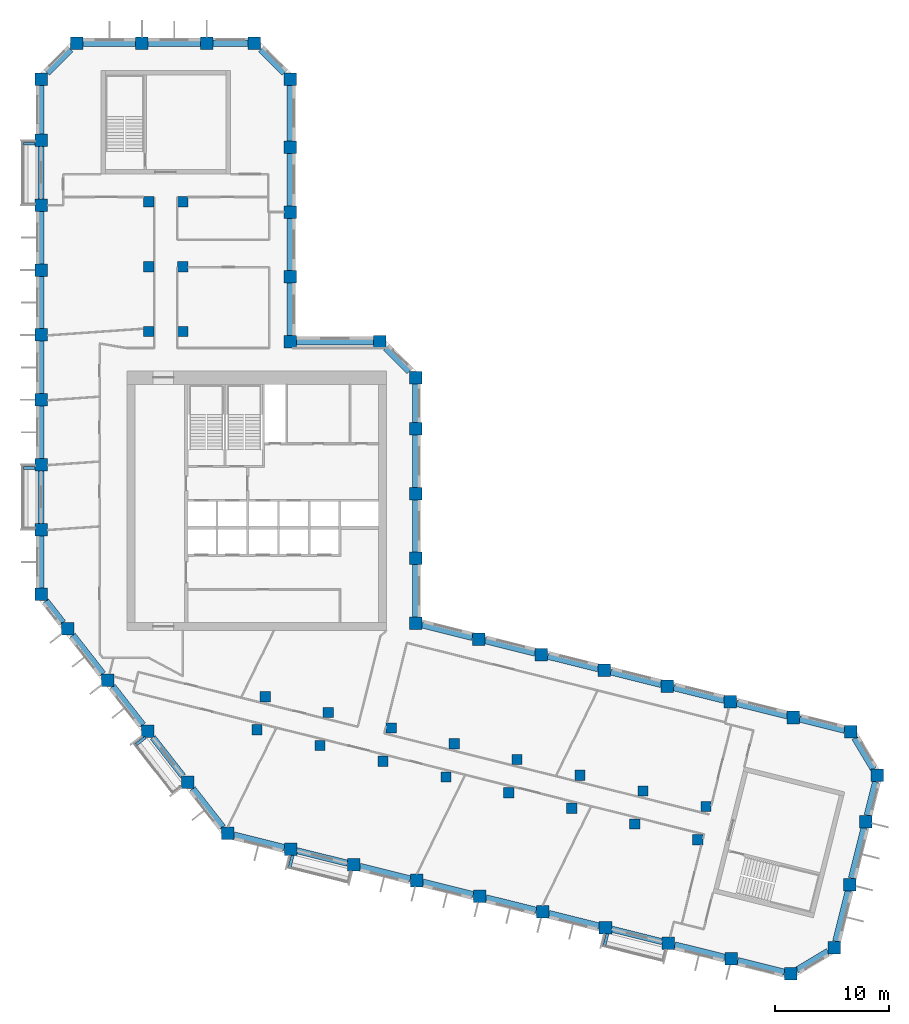
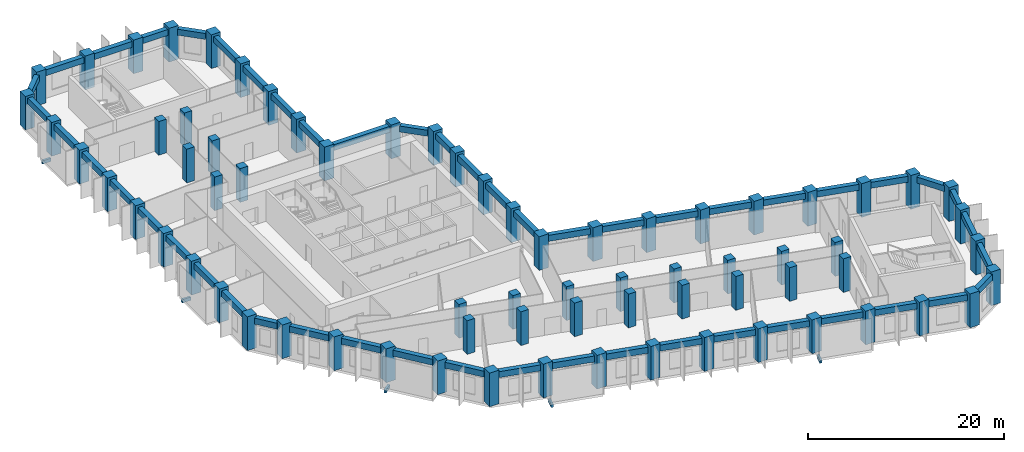
# One storey, part 1 of 10: 71 columns, 54 beams.
"""IFC4 building model written with IfcOpenShell, lengths in metres."""

from ifc_helpers import new_model, si_unit, direction, frame, origin, origin_2d, place, context, subcontext, project, spatial, rectangle, extrude, material, material_profile, profile_set, type_object, element, save


model = new_model("IFC4")

# Units and contexts
model_context = context("Model", 3, precision=1e-05, world=origin(), true_north=direction((0.0, 1.0)))
body_context = subcontext(model_context, "Body", "Model", "MODEL_VIEW")
ifc_project = project(units=[si_unit("LENGTHUNIT", "METRE"), si_unit("AREAUNIT", "SQUARE_METRE"), si_unit("VOLUMEUNIT", "CUBIC_METRE"), si_unit("PLANEANGLEUNIT", "RADIAN"), si_unit("MASSUNIT", "GRAM", prefix="KILO")], contexts=[model_context])

# Site, building, storey
site_placement = place(None, origin())
site = spatial("IfcSite", under=ifc_project, at=site_placement, CompositionType="ELEMENT")
building_placement = place(site_placement, origin())
building = spatial("IfcBuilding", under=site, at=building_placement, Name="Meshkara Civic Tower", CompositionType="ELEMENT")
storey_placement = place(building_placement, frame((0.0, 0.0, 276.0)))
storey = spatial("IfcBuildingStorey", under=building, at=storey_placement, Name="L63", CompositionType="ELEMENT", Elevation=276.0)

# Columns
ifc_material_1 = material(Name="Concrete C60", Category="concrete")
ifc_material_profile_1 = material_profile(ifc_material_1, rectangle(XDim=0.89990234375, YDim=0.89990234375, at=origin_2d()))
ifc_profile_set_1 = profile_set([ifc_material_profile_1], Name="Concrete C60")
column_type_1 = type_object("IfcColumnType", Name="Interior column RC 900x900 C60", PredefinedType="COLUMN", material=ifc_profile_set_1)
for number, where, z_axis, x_axis, name in (
    (1, (9.89990234375, 40.35009765625, 0.0), (0.0, 0.0, 1.0), (1.0, 0.0, 0.0), "Column SA1-04 L63"),
    (2, (9.89990234375, 46.050048828125, 0.0), (0.0, 0.0, 1.0), (1.0, 0.0, 0.0), "Column SA1-05 L63"),
    (3, (9.89990234375, 51.75, 0.0), (0.0, 0.0, 1.0), (1.0, 0.0, 0.0), "Column SA1-06 L63"),
    (4, (12.89990234375, 40.35009765625, 0.0), (0.0, 0.0, 1.0), (1.0, 0.0, 0.0), "Column SA2-04 L63"),
    (5, (12.89990234375, 46.050048828125, 0.0), (0.0, 0.0, 1.0), (1.0, 0.0, 0.0), "Column SA2-05 L63"),
    (6, (12.89990234375, 51.75, 0.0), (0.0, 0.0, 1.0), (1.0, 0.0, 0.0), "Column SA2-06 L63"),
    (7, (19.424072265625, 5.360107421875, 0.0), (0.0, 0.0, 1.0), (1.0, 0.0, 0.0), "Column SB1-00 L63"),
    (8, (24.9541015625, 3.98095703125, 0.0), (0.0, 0.0, 1.0), (1.0, 0.0, 0.0), "Column SB1-01 L63"),
    (9, (30.485107421875, 2.60205078125, 0.0), (0.0, 0.0, 1.0), (1.0, 0.0, 0.0), "Column SB1-02 L63"),
    (10, (36.01611328125, 1.222900390625, 0.0), (0.0, 0.0, 1.0), (1.0, 0.0, 0.0), "Column SB1-03 L63"),
    (11, (41.5458984375, -0.156005859375, 0.0), (0.0, 0.0, 1.0), (1.0, 0.0, 0.0), "Column SB1-04 L63"),
    (12, (47.076904296875, -1.534912109375, 0.0), (0.0, 0.0, 1.0), (1.0, 0.0, 0.0), "Column SB1-05 L63"),
    (13, (52.60791015625, -2.9140625, 0.0), (0.0, 0.0, 1.0), (1.0, 0.0, 0.0), "Column SB1-06 L63"),
    (14, (58.138916015625, -4.2919921875, 0.0), (0.0, 0.0, 1.0), (1.0, 0.0, 0.0), "Column SB1-07 L63"),
    (15, (20.14892578125, 8.27099609375, 0.0), (0.0, 0.0, 1.0), (1.0, 0.0, 0.0), "Column SB2-00 L63"),
    (16, (25.679931640625, 6.89208984375, 0.0), (0.0, 0.0, 1.0), (1.0, 0.0, 0.0), "Column SB2-01 L63"),
    (17, (31.2109375, 5.512939453125, 0.0), (0.0, 0.0, 1.0), (1.0, 0.0, 0.0), "Column SB2-02 L63"),
    (18, (36.741943359375, 4.134033203125, 0.0), (0.0, 0.0, 1.0), (1.0, 0.0, 0.0), "Column SB2-03 L63"),
    (19, (42.27197265625, 2.7548828125, 0.0), (0.0, 0.0, 1.0), (1.0, 0.0, 0.0), "Column SB2-04 L63"),
    (20, (47.802978515625, 1.3759765625, 0.0), (0.0, 0.0, 1.0), (1.0, 0.0, 0.0), "Column SB2-05 L63"),
    (21, (53.333984375, -0.0029296875, 0.0), (0.0, 0.0, 1.0), (1.0, 0.0, 0.0), "Column SB2-06 L63"),
    (22, (58.864013671875, -1.382080078125, 0.0), (0.0, 0.0, 1.0), (1.0, 0.0, 0.0), "Column SB2-07 L63"),
):
    element("IfcColumn", number, at=place(storey_placement, frame(where, z_axis=z_axis, x_axis=x_axis)), inside=storey, type_object=column_type_1, Name=name, PredefinedType="COLUMN", context=body_context, shape_type="SweptSolid", body=[
        extrude(rectangle(XDim=0.89990234375, YDim=0.89990234375, at=origin_2d()), origin(), (0.0, 0.0, 1.0), 4.199951171875),
    ])
ifc_material_2 = material(Name="Concrete C60", Category="concrete")
ifc_material_profile_2 = material_profile(ifc_material_2, rectangle(XDim=1.10009765625, YDim=1.10009765625, at=origin_2d()))
ifc_profile_set_2 = profile_set([ifc_material_profile_2], Name="Concrete C60")
column_type_2 = type_object("IfcColumnType", Name="Perimeter column RC 1100x1100 C60", PredefinedType="COLUMN", material=ifc_profile_set_2)
for number, where, z_axis, x_axis, name in (
    (23, (33.35009765625, 14.718994140625, 0.0), (0.0, 0.0, 1.0), (1.0, 0.0, 0.0), "Column HE00 L63"),
    (24, (33.35009765625, 20.4189453125, 0.0), (0.0, 0.0, 1.0), (1.0, 0.0, 0.0), "Column HE01 L63"),
    (25, (33.35009765625, 26.118896484375, 0.0), (0.0, 0.0, 1.0), (1.0, 0.0, 0.0), "Column HE02 L63"),
    (26, (33.35009765625, 31.819091796875, 0.0), (0.0, 0.0, 1.0), (1.0, 0.0, 0.0), "Column HE03 L63"),
    (27, (33.35009765625, 36.2939453125, 0.0), (0.0, 0.0, 1.0), (1.0, 0.0, 0.0), "Column HEE L63"),
    (28, (30.194091796875, 39.449951171875, 0.0), (0.0, 0.0, 1.0), (1.0, 0.0, 0.0), "Column HCeE L63"),
    (29, (22.35009765625, 39.449951171875, 0.0), (0.0, 0.0, 1.0), (1.0, 0.0, 0.0), "Column HN00 L63"),
    (30, (22.35009765625, 45.14990234375, 0.0), (0.0, 0.0, 1.0), (1.0, 0.0, 0.0), "Column AE01 L63"),
    (31, (22.35009765625, 50.85009765625, 0.0), (0.0, 0.0, 1.0), (1.0, 0.0, 0.0), "Column AE02 L63"),
    (32, (22.35009765625, 56.550048828125, 0.0), (0.0, 0.0, 1.0), (1.0, 0.0, 0.0), "Column AE03 L63"),
    (33, (22.35009765625, 62.513916015625, 0.0), (0.0, 0.0, 1.0), (1.0, 0.0, 0.0), "Column AEEP3 L63"),
    (34, (19.194091796875, 65.669921875, 0.0), (0.0, 0.0, 1.0), (1.0, 0.0, 0.0), "Column ATiEP3 L63"),
    (35, (3.60595703125, 65.669921875, 0.0), (0.0, 0.0, 1.0), (1.0, 0.0, 0.0), "Column AT00-P3 L63"),
    (36, (9.305908203125, 65.669921875, 0.0), (0.0, 0.0, 1.0), (1.0, 0.0, 0.0), "Column AT01-P3 L63"),
    (37, (15.006103515625, 65.669921875, 0.0), (0.0, 0.0, 1.0), (1.0, 0.0, 0.0), "Column AT02-P3 L63"),
    (38, (0.449951171875, 62.513916015625, 0.0), (0.0, 0.0, 1.0), (1.0, 0.0, 0.0), "Column ATo00-P3 L63"),
    (39, (0.449951171875, 17.2548828125, 0.0), (0.0, 0.0, 1.0), (1.0, 0.0, 0.0), "Column AW00 L63"),
    (40, (0.449951171875, 22.955078125, 0.0), (0.0, 0.0, 1.0), (1.0, 0.0, 0.0), "Column AW01 L63"),
    (41, (0.449951171875, 28.655029296875, 0.0), (0.0, 0.0, 1.0), (1.0, 0.0, 0.0), "Column AW02 L63"),
    (42, (0.449951171875, 34.35498046875, 0.0), (0.0, 0.0, 1.0), (1.0, 0.0, 0.0), "Column AW03 L63"),
    (43, (0.449951171875, 40.054931640625, 0.0), (0.0, 0.0, 1.0), (1.0, 0.0, 0.0), "Column AW04 L63"),
    (44, (0.449951171875, 45.7548828125, 0.0), (0.0, 0.0, 1.0), (1.0, 0.0, 0.0), "Column AW05 L63"),
    (45, (0.449951171875, 51.455078125, 0.0), (0.0, 0.0, 1.0), (1.0, 0.0, 0.0), "Column AW06 L63"),
    (46, (0.449951171875, 57.155029296875, 0.0), (0.0, 0.0, 1.0), (1.0, 0.0, 0.0), "Column AW07 L63"),
    (47, (16.85107421875, -3.738037109375, 0.0), (0.0, 0.0, 1.0), (1.0, 0.0, 0.0), "Column BOW00 L63"),
    (48, (13.342041015625, 0.75390625, 0.0), (0.0, 0.0, 1.0), (1.0, 0.0, 0.0), "Column BOW01 L63"),
    (49, (9.8330078125, 5.2451171875, 0.0), (0.0, 0.0, 1.0), (1.0, 0.0, 0.0), "Column BOW02 L63"),
    (50, (6.322998046875, 9.737060546875, 0.0), (0.0, 0.0, 1.0), (1.0, 0.0, 0.0), "Column BOW03 L63"),
    (51, (2.81396484375, 14.22900390625, 0.0), (0.0, 0.0, 1.0), (1.0, 0.0, 0.0), "Column BOW04 L63"),
    (52, (22.382080078125, -5.116943359375, 0.0), (0.0, 0.0, 1.0), (1.0, 0.0, 0.0), "Column BS01 L63"),
    (53, (27.912109375, -6.49609375, 0.0), (0.0, 0.0, 1.0), (1.0, 0.0, 0.0), "Column BS02 L63"),
    (54, (33.443115234375, -7.875, 0.0), (0.0, 0.0, 1.0), (1.0, 0.0, 0.0), "Column BS03 L63"),
    (55, (38.97412109375, -9.2529296875, 0.0), (0.0, 0.0, 1.0), (1.0, 0.0, 0.0), "Column BS04-P1 L63"),
    (56, (44.5048828125, -10.632080078125, 0.0), (0.0, 0.0, 1.0), (1.0, 0.0, 0.0), "Column BS05 L63"),
    (57, (50.034912109375, -12.010986328125, 0.0), (0.0, 0.0, 1.0), (1.0, 0.0, 0.0), "Column BS06 L63"),
    (58, (55.56591796875, -13.389892578125, 0.0), (0.0, 0.0, 1.0), (1.0, 0.0, 0.0), "Column BS07 L63"),
    (59, (61.096923828125, -14.76904296875, 0.0), (0.0, 0.0, 1.0), (1.0, 0.0, 0.0), "Column BS08 L63"),
    (60, (66.2958984375, -16.06494140625, 0.0), (0.0, 0.0, 1.0), (1.0, 0.0, 0.0), "Column BSEP3 L63"),
    (61, (70.1220703125, -13.76611328125, 0.0), (0.0, 0.0, 1.0), (1.0, 0.0, 0.0), "Column BToEP3 L63"),
    (62, (71.5009765625, -8.235107421875, 0.0), (0.0, 0.0, 1.0), (1.0, 0.0, 0.0), "Column BT01-P3 L63"),
    (63, (72.8798828125, -2.705078125, 0.0), (0.0, 0.0, 1.0), (1.0, 0.0, 0.0), "Column BT02-P3 L63"),
    (64, (73.89306640625, 1.35791015625, 0.0), (0.0, 0.0, 1.0), (1.0, 0.0, 0.0), "Column BTEP3 L63"),
    (65, (71.593994140625, 5.18310546875, 0.0), (0.0, 0.0, 1.0), (1.0, 0.0, 0.0), "Column BTi00-P3 L63"),
    (66, (38.881103515625, 13.340087890625, 0.0), (0.0, 0.0, 1.0), (1.0, 0.0, 0.0), "Column BN01 L63"),
    (67, (44.410888671875, 11.9609375, 0.0), (0.0, 0.0, 1.0), (1.0, 0.0, 0.0), "Column BN02 L63"),
    (68, (49.94189453125, 10.58203125, 0.0), (0.0, 0.0, 1.0), (1.0, 0.0, 0.0), "Column BN03 L63"),
    (69, (55.472900390625, 9.202880859375, 0.0), (0.0, 0.0, 1.0), (1.0, 0.0, 0.0), "Column BN04 L63"),
    (70, (61.0029296875, 7.823974609375, 0.0), (0.0, 0.0, 1.0), (1.0, 0.0, 0.0), "Column BN05 L63"),
    (71, (66.533935546875, 6.445068359375, 0.0), (0.0, 0.0, 1.0), (1.0, 0.0, 0.0), "Column BN06 L63"),
):
    element("IfcColumn", number, at=place(storey_placement, frame(where, z_axis=z_axis, x_axis=x_axis)), inside=storey, type_object=column_type_2, Name=name, PredefinedType="COLUMN", context=body_context, shape_type="SweptSolid", body=[
        extrude(rectangle(XDim=1.10009765625, YDim=1.10009765625, at=origin_2d()), origin(), (0.0, 0.0, 1.0), 4.199951171875),
    ])

# Beams
ifc_material_3 = material(Name="Concrete C50", Category="concrete")
ifc_material_profile_3 = material_profile(ifc_material_3, rectangle(XDim=0.25, YDim=0.39990234375, at=origin_2d()))
ifc_profile_set_3 = profile_set([ifc_material_profile_3], Name="Concrete C50")
beam_type_1 = type_object("IfcBeamType", Name="Balcony bracket beam RC 250x400 C50", PredefinedType="BEAM", material=ifc_profile_set_3)
for number, where, z_axis, x_axis, name in (
    (72, (-0.094970703125, 56.85498046875, -0.5), (-1.0, 0.0, 0.0), (0.0, -1.0, 0.0), "Balcony bracket beam"),
    (73, (-0.094970703125, 28.35498046875, -0.5), (-1.0, 0.0, 0.0), (0.0, -1.0, 0.0), "Balcony bracket beam"),
):
    element("IfcBeam", number, at=place(storey_placement, frame(where, z_axis=z_axis, x_axis=x_axis)), inside=storey, type_object=beam_type_1, Name=name, PredefinedType="BEAM", context=body_context, shape_type="SweptSolid", body=[
        extrude(rectangle(XDim=0.25, YDim=0.39990234375, at=origin_2d()), origin(), (0.0, 0.0, 1.0), 1.005126953125),
    ])
beam_1_placement = place(storey_placement, frame((9.6201171875, 4.697998046875, -0.5), z_axis=(-0.787967753589, -0.615716508877, 0.0), x_axis=(0.615716508877, -0.787967753589, 0.0)))
element("IfcBeam", 74, at=beam_1_placement, inside=storey, type_object=beam_type_1, Name="Balcony bracket beam", PredefinedType="BEAM", context=body_context, shape_type="SweptSolid", body=[
    extrude(rectangle(XDim=0.25, YDim=0.39990234375, at=origin_2d()), origin(), (0.0, 0.0, 1.0), 1.0458984375),
])
beam_2_placement = place(storey_placement, frame((22.554931640625, -5.662109375, -0.5), z_axis=(-0.241724565462, -0.970344904893, 0.0), x_axis=(0.970344904893, -0.241724565462, 0.0)))
element("IfcBeam", 75, at=beam_2_placement, inside=storey, type_object=beam_type_1, Name="Balcony bracket beam", PredefinedType="BEAM", context=body_context, shape_type="SweptSolid", body=[
    extrude(rectangle(XDim=0.25, YDim=0.39990234375, at=origin_2d()), origin(), (0.0, 0.0, 1.0), 1.0625),
])
beam_3_placement = place(storey_placement, frame((50.2080078125, -12.555908203125, -0.5), z_axis=(-0.241725333206, -0.970344713639, 0.0), x_axis=(0.970344713639, -0.241725333206, 0.0)))
element("IfcBeam", 76, at=beam_3_placement, inside=storey, type_object=beam_type_1, Name="Balcony bracket beam", PredefinedType="BEAM", context=body_context, shape_type="SweptSolid", body=[
    extrude(rectangle(XDim=0.25, YDim=0.39990234375, at=origin_2d()), origin(), (0.0, 0.0, 1.0), 1.0634765625),
])
ifc_material_4 = material(Name="Concrete C60", Category="concrete")
ifc_material_profile_4 = material_profile(ifc_material_4, rectangle(XDim=0.550048828125, YDim=0.75, at=origin_2d()))
ifc_profile_set_4 = profile_set([ifc_material_profile_4], Name="Concrete C60")
beam_type_2 = type_object("IfcBeamType", Name="Spandrel beam RC 550x750 C60", PredefinedType="BEAM", material=ifc_profile_set_4)
beam_4_placement = place(storey_placement, frame((65.989013671875, 6.580810546875, 3.52490234375), z_axis=(-0.970299186733, 0.241908016044, 0.0), x_axis=(-0.241908016044, -0.970299186733, 0.0)))
element("IfcBeam", 77, at=beam_4_placement, inside=storey, type_object=beam_type_2, Name="Spandrel beam BN05-BN06", PredefinedType="BEAM", context=body_context, shape_type="SweptSolid", body=[
    extrude(rectangle(XDim=0.550048828125, YDim=0.75, at=origin_2d()), origin(), (0.0, 0.0, 1.0), 4.576904296875),
])
beam_5_placement = place(storey_placement, frame((60.4580078125, 7.9599609375, 3.52490234375), z_axis=(-0.970286696562, 0.241958108925, 0.0), x_axis=(-0.241958108925, -0.970286696562, 0.0)))
element("IfcBeam", 78, at=beam_5_placement, inside=storey, type_object=beam_type_2, Name="Spandrel beam BN04-BN05", PredefinedType="BEAM", context=body_context, shape_type="SweptSolid", body=[
    extrude(rectangle(XDim=0.550048828125, YDim=0.75, at=origin_2d()), origin(), (0.0, 0.0, 1.0), 4.575927734375),
])
for number, where, z_axis, x_axis, name in (
    (79, (54.927978515625, 9.3388671875, 3.52490234375), (-0.970299186733, 0.241908016044, 0.0), (-0.241908016044, -0.970299186733, 0.0), "Spandrel beam BN03-BN04"),
    (80, (49.39697265625, 10.718017578125, 3.52490234375), (-0.970299186733, 0.241908016044, 0.0), (-0.241908016044, -0.970299186733, 0.0), "Spandrel beam BN02-BN03"),
):
    element("IfcBeam", number, at=place(storey_placement, frame(where, z_axis=z_axis, x_axis=x_axis)), inside=storey, type_object=beam_type_2, Name=name, PredefinedType="BEAM", context=body_context, shape_type="SweptSolid", body=[
        extrude(rectangle(XDim=0.550048828125, YDim=0.75, at=origin_2d()), origin(), (0.0, 0.0, 1.0), 4.576904296875),
    ])
beam_6_placement = place(storey_placement, frame((43.865966796875, 12.096923828125, 3.52490234375), z_axis=(-0.970286696562, 0.241958108925, 0.0), x_axis=(-0.241958108925, -0.970286696562, 0.0)))
element("IfcBeam", 81, at=beam_6_placement, inside=storey, type_object=beam_type_2, Name="Spandrel beam BN01-BN02", PredefinedType="BEAM", context=body_context, shape_type="SweptSolid", body=[
    extrude(rectangle(XDim=0.550048828125, YDim=0.75, at=origin_2d()), origin(), (0.0, 0.0, 1.0), 4.575927734375),
])
beam_7_placement = place(storey_placement, frame((38.3359375, 13.475830078125, 3.52490234375), z_axis=(-0.970299186733, 0.241908016044, 0.0), x_axis=(-0.241908016044, -0.970299186733, 0.0)))
element("IfcBeam", 82, at=beam_7_placement, inside=storey, type_object=beam_type_2, Name="Spandrel beam BN01-HE00", PredefinedType="BEAM", context=body_context, shape_type="SweptSolid", body=[
    extrude(rectangle(XDim=0.550048828125, YDim=0.75, at=origin_2d()), origin(), (0.0, 0.0, 1.0), 4.576904296875),
])
beam_8_placement = place(storey_placement, frame((33.35009765625, 15.263916015625, 3.52490234375), z_axis=(0.0, 1.0, 0.0), x_axis=(-1.0, 0.0, 0.0)))
element("IfcBeam", 83, at=beam_8_placement, inside=storey, type_object=beam_type_2, Name="Spandrel beam HE00-HE01", PredefinedType="BEAM", context=body_context, shape_type="SweptSolid", body=[
    extrude(rectangle(XDim=0.550048828125, YDim=0.75, at=origin_2d()), origin(), (0.0, 0.0, 1.0), 4.610107421875),
])
for number, where, z_axis, x_axis, name in (
    (84, (33.35009765625, 20.964111328125, 3.52490234375), (0.0, 1.0, 0.0), (-1.0, 0.0, 0.0), "Spandrel beam HE01-HE02"),
    (85, (33.35009765625, 26.6640625, 3.52490234375), (0.0, 1.0, 0.0), (-1.0, 0.0, 0.0), "Spandrel beam HE02-HE03"),
):
    element("IfcBeam", number, at=place(storey_placement, frame(where, z_axis=z_axis, x_axis=x_axis)), inside=storey, type_object=beam_type_2, Name=name, PredefinedType="BEAM", context=body_context, shape_type="SweptSolid", body=[
        extrude(rectangle(XDim=0.550048828125, YDim=0.75, at=origin_2d()), origin(), (0.0, 0.0, 1.0), 4.60986328125),
    ])
beam_9_placement = place(storey_placement, frame((33.35009765625, 32.364013671875, 3.52490234375), z_axis=(0.0, 1.0, 0.0), x_axis=(-1.0, 0.0, 0.0)))
element("IfcBeam", 86, at=beam_9_placement, inside=storey, type_object=beam_type_2, Name="Spandrel beam HE03-HEE", PredefinedType="BEAM", context=body_context, shape_type="SweptSolid", body=[
    extrude(rectangle(XDim=0.550048828125, YDim=0.75, at=origin_2d()), origin(), (0.0, 0.0, 1.0), 3.385009765625),
])
beam_10_placement = place(storey_placement, frame((32.803466796875, 36.840576171875, 3.52490234375), z_axis=(-0.707106781187, 0.707106781187, 0.0), x_axis=(-0.707106781187, -0.707106781187, 0.0)))
element("IfcBeam", 87, at=beam_10_placement, inside=storey, type_object=beam_type_2, Name="Spandrel beam HCeE-HEE", PredefinedType="BEAM", context=body_context, shape_type="SweptSolid", body=[
    extrude(rectangle(XDim=0.550048828125, YDim=0.75, at=origin_2d()), origin(), (0.0, 0.0, 1.0), 2.91748046875),
])
beam_11_placement = place(storey_placement, frame((29.64892578125, 39.449951171875, 3.52490234375), z_axis=(-1.0, 0.0, 0.0), x_axis=(0.0, -1.0, 0.0)))
element("IfcBeam", 88, at=beam_11_placement, inside=storey, type_object=beam_type_2, Name="Spandrel beam HCeE-HN00", PredefinedType="BEAM", context=body_context, shape_type="SweptSolid", body=[
    extrude(rectangle(XDim=0.550048828125, YDim=0.75, at=origin_2d()), origin(), (0.0, 0.0, 1.0), 6.75390625),
])
for number, where, z_axis, x_axis, name in (
    (89, (22.35009765625, 39.9951171875, 3.52490234375), (0.0, 1.0, 0.0), (-1.0, 0.0, 0.0), "Spandrel beam AE01-HN00"),
    (90, (22.35009765625, 45.695068359375, 3.52490234375), (0.0, 1.0, 0.0), (-1.0, 0.0, 0.0), "Spandrel beam AE01-AE02"),
    (91, (22.35009765625, 51.39501953125, 3.52490234375), (0.0, 1.0, 0.0), (-1.0, 0.0, 0.0), "Spandrel beam AE02-AE03"),
):
    element("IfcBeam", number, at=place(storey_placement, frame(where, z_axis=z_axis, x_axis=x_axis)), inside=storey, type_object=beam_type_2, Name=name, PredefinedType="BEAM", context=body_context, shape_type="SweptSolid", body=[
        extrude(rectangle(XDim=0.550048828125, YDim=0.75, at=origin_2d()), origin(), (0.0, 0.0, 1.0), 4.60986328125),
    ])
beam_12_placement = place(storey_placement, frame((22.35009765625, 57.094970703125, 3.52490234375), z_axis=(0.0, 1.0, 0.0), x_axis=(-1.0, 0.0, 0.0)))
element("IfcBeam", 92, at=beam_12_placement, inside=storey, type_object=beam_type_2, Name="Spandrel beam AE03-AEEP3", PredefinedType="BEAM", context=body_context, shape_type="SweptSolid", body=[
    extrude(rectangle(XDim=0.550048828125, YDim=0.75, at=origin_2d()), origin(), (0.0, 0.0, 1.0), 4.8740234375),
])
beam_13_placement = place(storey_placement, frame((21.803466796875, 63.060546875, 3.52490234375), z_axis=(-0.707106781187, 0.707106781187, 0.0), x_axis=(-0.707106781187, -0.707106781187, 0.0)))
element("IfcBeam", 93, at=beam_13_placement, inside=storey, type_object=beam_type_2, Name="Spandrel beam AEEP3-ATiEP3", PredefinedType="BEAM", context=body_context, shape_type="SweptSolid", body=[
    extrude(rectangle(XDim=0.550048828125, YDim=0.75, at=origin_2d()), origin(), (0.0, 0.0, 1.0), 2.91748046875),
])
beam_14_placement = place(storey_placement, frame((18.64892578125, 65.669921875, 3.52490234375), z_axis=(-1.0, 0.0, 0.0), x_axis=(0.0, -1.0, 0.0)))
element("IfcBeam", 94, at=beam_14_placement, inside=storey, type_object=beam_type_2, Name="Spandrel beam AT02-P3-ATiEP3", PredefinedType="BEAM", context=body_context, shape_type="SweptSolid", body=[
    extrude(rectangle(XDim=0.550048828125, YDim=0.75, at=origin_2d()), origin(), (0.0, 0.0, 1.0), 3.097900390625),
])
beam_15_placement = place(storey_placement, frame((14.4609375, 65.669921875, 3.52490234375), z_axis=(-1.0, 0.0, 0.0), x_axis=(0.0, -1.0, 0.0)))
element("IfcBeam", 95, at=beam_15_placement, inside=storey, type_object=beam_type_2, Name="Spandrel beam AT01-P3-AT02-P3", PredefinedType="BEAM", context=body_context, shape_type="SweptSolid", body=[
    extrude(rectangle(XDim=0.550048828125, YDim=0.75, at=origin_2d()), origin(), (0.0, 0.0, 1.0), 4.60986328125),
])
beam_16_placement = place(storey_placement, frame((8.760986328125, 65.669921875, 3.52490234375), z_axis=(-1.0, 0.0, 0.0), x_axis=(0.0, -1.0, 0.0)))
element("IfcBeam", 96, at=beam_16_placement, inside=storey, type_object=beam_type_2, Name="Spandrel beam AT00-P3-AT01-P3", PredefinedType="BEAM", context=body_context, shape_type="SweptSolid", body=[
    extrude(rectangle(XDim=0.550048828125, YDim=0.75, at=origin_2d()), origin(), (0.0, 0.0, 1.0), 4.610107421875),
])
beam_17_placement = place(storey_placement, frame((3.0595703125, 65.12353515625, 3.52490234375), z_axis=(-0.707106781187, -0.707106781187, 0.0), x_axis=(0.707106781187, -0.707106781187, 0.0)))
element("IfcBeam", 97, at=beam_17_placement, inside=storey, type_object=beam_type_2, Name="Spandrel beam AT00-P3-ATo00-P3", PredefinedType="BEAM", context=body_context, shape_type="SweptSolid", body=[
    extrude(rectangle(XDim=0.550048828125, YDim=0.75, at=origin_2d()), origin(), (0.0, 0.0, 1.0), 2.91748046875),
])
beam_18_placement = place(storey_placement, frame((0.449951171875, 61.968994140625, 3.52490234375), z_axis=(0.0, -1.0, 0.0), x_axis=(1.0, 0.0, 0.0)))
element("IfcBeam", 98, at=beam_18_placement, inside=storey, type_object=beam_type_2, Name="Spandrel beam ATo00-P3-AW07", PredefinedType="BEAM", context=body_context, shape_type="SweptSolid", body=[
    extrude(rectangle(XDim=0.550048828125, YDim=0.75, at=origin_2d()), origin(), (0.0, 0.0, 1.0), 4.26904296875),
])
beam_19_placement = place(storey_placement, frame((0.449951171875, 56.610107421875, 3.52490234375), z_axis=(0.0, -1.0, 0.0), x_axis=(1.0, 0.0, 0.0)))
element("IfcBeam", 99, at=beam_19_placement, inside=storey, type_object=beam_type_2, Name="Spandrel beam AW06-AW07", PredefinedType="BEAM", context=body_context, shape_type="SweptSolid", body=[
    extrude(rectangle(XDim=0.550048828125, YDim=0.75, at=origin_2d()), origin(), (0.0, 0.0, 1.0), 4.610107421875),
])
for number, where, z_axis, x_axis, name in (
    (100, (0.449951171875, 50.909912109375, 3.52490234375), (0.0, -1.0, 0.0), (1.0, 0.0, 0.0), "Spandrel beam AW05-AW06"),
    (101, (0.449951171875, 45.2099609375, 3.52490234375), (0.0, -1.0, 0.0), (1.0, 0.0, 0.0), "Spandrel beam AW04-AW05"),
):
    element("IfcBeam", number, at=place(storey_placement, frame(where, z_axis=z_axis, x_axis=x_axis)), inside=storey, type_object=beam_type_2, Name=name, PredefinedType="BEAM", context=body_context, shape_type="SweptSolid", body=[
        extrude(rectangle(XDim=0.550048828125, YDim=0.75, at=origin_2d()), origin(), (0.0, 0.0, 1.0), 4.60986328125),
    ])
for number, where, z_axis, x_axis, name in (
    (102, (0.449951171875, 39.510009765625, 3.52490234375), (0.0, -1.0, 0.0), (1.0, 0.0, 0.0), "Spandrel beam AW03-AW04"),
    (103, (0.449951171875, 33.81005859375, 3.52490234375), (0.0, -1.0, 0.0), (1.0, 0.0, 0.0), "Spandrel beam AW02-AW03"),
    (104, (0.449951171875, 28.110107421875, 3.52490234375), (0.0, -1.0, 0.0), (1.0, 0.0, 0.0), "Spandrel beam AW01-AW02"),
):
    element("IfcBeam", number, at=place(storey_placement, frame(where, z_axis=z_axis, x_axis=x_axis)), inside=storey, type_object=beam_type_2, Name=name, PredefinedType="BEAM", context=body_context, shape_type="SweptSolid", body=[
        extrude(rectangle(XDim=0.550048828125, YDim=0.75, at=origin_2d()), origin(), (0.0, 0.0, 1.0), 4.610107421875),
    ])
beam_20_placement = place(storey_placement, frame((0.449951171875, 22.409912109375, 3.52490234375), z_axis=(0.0, -1.0, 0.0), x_axis=(1.0, 0.0, 0.0)))
element("IfcBeam", 105, at=beam_20_placement, inside=storey, type_object=beam_type_2, Name="Spandrel beam AW00-AW01", PredefinedType="BEAM", context=body_context, shape_type="SweptSolid", body=[
    extrude(rectangle(XDim=0.550048828125, YDim=0.75, at=origin_2d()), origin(), (0.0, 0.0, 1.0), 4.60986328125),
])
beam_21_placement = place(storey_placement, frame((0.876708984375, 16.708984375, 3.52490234375), z_axis=(0.615626666257, -0.788037948194, 0.0), x_axis=(0.788037948194, 0.615626666257, 0.0)))
element("IfcBeam", 106, at=beam_21_placement, inside=storey, type_object=beam_type_2, Name="Spandrel beam AW00-BOW04", PredefinedType="BEAM", context=body_context, shape_type="SweptSolid", body=[
    extrude(rectangle(XDim=0.550048828125, YDim=0.75, at=origin_2d()), origin(), (0.0, 0.0, 1.0), 2.4541015625),
])
beam_22_placement = place(storey_placement, frame((3.240478515625, 13.682861328125, 3.52490234375), z_axis=(0.615647336498, -0.788021799865, 0.0), x_axis=(0.788021799865, 0.615647336498, 0.0)))
element("IfcBeam", 107, at=beam_22_placement, inside=storey, type_object=beam_type_2, Name="Spandrel beam BOW03-BOW04", PredefinedType="BEAM", context=body_context, shape_type="SweptSolid", body=[
    extrude(rectangle(XDim=0.550048828125, YDim=0.75, at=origin_2d()), origin(), (0.0, 0.0, 1.0), 4.314208984375),
])
beam_23_placement = place(storey_placement, frame((6.749755859375, 9.19091796875, 3.52490234375), z_axis=(0.615690159083, -0.787988342559, 0.0), x_axis=(0.787988342559, 0.615690159083, 0.0)))
element("IfcBeam", 108, at=beam_23_placement, inside=storey, type_object=beam_type_2, Name="Spandrel beam BOW02-BOW03", PredefinedType="BEAM", context=body_context, shape_type="SweptSolid", body=[
    extrude(rectangle(XDim=0.550048828125, YDim=0.75, at=origin_2d()), origin(), (0.0, 0.0, 1.0), 4.314697265625),
])
beam_24_placement = place(storey_placement, frame((10.259765625, 4.698974609375, 3.52490234375), z_axis=(0.615659419462, -0.788012359819, 0.0), x_axis=(0.788012359819, 0.615659419462, 0.0)))
element("IfcBeam", 109, at=beam_24_placement, inside=storey, type_object=beam_type_2, Name="Spandrel beam BOW01-BOW02", PredefinedType="BEAM", context=body_context, shape_type="SweptSolid", body=[
    extrude(rectangle(XDim=0.550048828125, YDim=0.75, at=origin_2d()), origin(), (0.0, 0.0, 1.0), 4.313232421875),
])
beam_25_placement = place(storey_placement, frame((13.7685546875, 0.2080078125, 3.52490234375), z_axis=(0.615584739249, -0.788070700384, 0.0), x_axis=(0.788070700384, 0.615584739249, 0.0)))
element("IfcBeam", 110, at=beam_25_placement, inside=storey, type_object=beam_type_2, Name="Spandrel beam BOW00-BOW01", PredefinedType="BEAM", context=body_context, shape_type="SweptSolid", body=[
    extrude(rectangle(XDim=0.550048828125, YDim=0.75, at=origin_2d()), origin(), (0.0, 0.0, 1.0), 4.314208984375),
])
beam_26_placement = place(storey_placement, frame((17.39599609375, -3.873779296875, 3.52490234375), z_axis=(0.970286664886, -0.24195823595, 0.0), x_axis=(0.24195823595, 0.970286664886, 0.0)))
element("IfcBeam", 111, at=beam_26_placement, inside=storey, type_object=beam_type_2, Name="Spandrel beam BOW00-BS01", PredefinedType="BEAM", context=body_context, shape_type="SweptSolid", body=[
    extrude(rectangle(XDim=0.550048828125, YDim=0.75, at=origin_2d()), origin(), (0.0, 0.0, 1.0), 4.576904296875),
])
beam_27_placement = place(storey_placement, frame((22.927001953125, -5.2529296875, 3.52490234375), z_axis=(0.970286696562, -0.241958108925, 0.0), x_axis=(0.241958108925, 0.970286696562, 0.0)))
element("IfcBeam", 112, at=beam_27_placement, inside=storey, type_object=beam_type_2, Name="Spandrel beam BS01-BS02", PredefinedType="BEAM", context=body_context, shape_type="SweptSolid", body=[
    extrude(rectangle(XDim=0.550048828125, YDim=0.75, at=origin_2d()), origin(), (0.0, 0.0, 1.0), 4.575927734375),
])
beam_28_placement = place(storey_placement, frame((28.45703125, -6.6318359375, 3.52490234375), z_axis=(0.970299186733, -0.241908016044, 0.0), x_axis=(0.241908016044, 0.970299186733, 0.0)))
element("IfcBeam", 113, at=beam_28_placement, inside=storey, type_object=beam_type_2, Name="Spandrel beam BS02-BS03", PredefinedType="BEAM", context=body_context, shape_type="SweptSolid", body=[
    extrude(rectangle(XDim=0.550048828125, YDim=0.75, at=origin_2d()), origin(), (0.0, 0.0, 1.0), 4.576904296875),
])
beam_29_placement = place(storey_placement, frame((33.988037109375, -8.0107421875, 3.52490234375), z_axis=(0.970336738613, -0.241757344662, 0.0), x_axis=(0.241757344662, 0.970336738613, 0.0)))
element("IfcBeam", 114, at=beam_29_placement, inside=storey, type_object=beam_type_2, Name="Spandrel beam BS03-BS04-P1", PredefinedType="BEAM", context=body_context, shape_type="SweptSolid", body=[
    extrude(rectangle(XDim=0.550048828125, YDim=0.75, at=origin_2d()), origin(), (0.0, 0.0, 1.0), 4.57666015625),
])
beam_30_placement = place(storey_placement, frame((39.51904296875, -9.388916015625, 3.52490234375), z_axis=(0.970299186733, -0.241908016044, 0.0), x_axis=(0.241908016044, 0.970299186733, 0.0)))
element("IfcBeam", 115, at=beam_30_placement, inside=storey, type_object=beam_type_2, Name="Spandrel beam BS04-P1-BS05", PredefinedType="BEAM", context=body_context, shape_type="SweptSolid", body=[
    extrude(rectangle(XDim=0.550048828125, YDim=0.75, at=origin_2d()), origin(), (0.0, 0.0, 1.0), 4.576904296875),
])
beam_31_placement = place(storey_placement, frame((45.050048828125, -10.767822265625, 3.52490234375), z_axis=(0.970286696562, -0.241958108925, 0.0), x_axis=(0.241958108925, 0.970286696562, 0.0)))
element("IfcBeam", 116, at=beam_31_placement, inside=storey, type_object=beam_type_2, Name="Spandrel beam BS05-BS06", PredefinedType="BEAM", context=body_context, shape_type="SweptSolid", body=[
    extrude(rectangle(XDim=0.550048828125, YDim=0.75, at=origin_2d()), origin(), (0.0, 0.0, 1.0), 4.575927734375),
])
for number, where, z_axis, x_axis, name in (
    (117, (50.580078125, -12.14697265625, 3.52490234375), (0.970299186733, -0.241908016044, 0.0), (0.241908016044, 0.970299186733, 0.0), "Spandrel beam BS06-BS07"),
    (118, (56.111083984375, -13.52587890625, 3.52490234375), (0.970299186733, -0.241908016044, 0.0), (0.241908016044, 0.970299186733, 0.0), "Spandrel beam BS07-BS08"),
):
    element("IfcBeam", number, at=place(storey_placement, frame(where, z_axis=z_axis, x_axis=x_axis)), inside=storey, type_object=beam_type_2, Name=name, PredefinedType="BEAM", context=body_context, shape_type="SweptSolid", body=[
        extrude(rectangle(XDim=0.550048828125, YDim=0.75, at=origin_2d()), origin(), (0.0, 0.0, 1.0), 4.576904296875),
    ])
beam_32_placement = place(storey_placement, frame((61.64208984375, -14.90478515625, 3.52490234375), z_axis=(0.970298301424, -0.24191156701, 0.0), x_axis=(0.24191156701, 0.970298301424, 0.0)))
element("IfcBeam", 119, at=beam_32_placement, inside=storey, type_object=beam_type_2, Name="Spandrel beam BS08-BSEP3", PredefinedType="BEAM", context=body_context, shape_type="SweptSolid", body=[
    extrude(rectangle(XDim=0.550048828125, YDim=0.75, at=origin_2d()), origin(), (0.0, 0.0, 1.0), 4.234619140625),
])
beam_33_placement = place(storey_placement, frame((66.841796875, -15.737060546875, 3.52490234375), z_axis=(0.857175401914, 0.51502459199, 0.0), x_axis=(-0.51502459199, 0.857175401914, 0.0)))
element("IfcBeam", 120, at=beam_33_placement, inside=storey, type_object=beam_type_2, Name="Spandrel beam BSEP3-BToEP3", PredefinedType="BEAM", context=body_context, shape_type="SweptSolid", body=[
    extrude(rectangle(XDim=0.550048828125, YDim=0.75, at=origin_2d()), origin(), (0.0, 0.0, 1.0), 3.190185546875),
])
beam_34_placement = place(storey_placement, frame((70.2578125, -13.220947265625, 3.52490234375), z_axis=(0.241908016044, 0.970299186733, 0.0), x_axis=(-0.970299186733, 0.241908016044, 0.0)))
element("IfcBeam", 121, at=beam_34_placement, inside=storey, type_object=beam_type_2, Name="Spandrel beam BT01-P3-BToEP3", PredefinedType="BEAM", context=body_context, shape_type="SweptSolid", body=[
    extrude(rectangle(XDim=0.550048828125, YDim=0.75, at=origin_2d()), origin(), (0.0, 0.0, 1.0), 4.576904296875),
])
beam_35_placement = place(storey_placement, frame((71.636962890625, -7.68994140625, 3.52490234375), z_axis=(0.241958108925, 0.970286696562, 0.0), x_axis=(-0.970286696562, 0.241958108925, 0.0)))
element("IfcBeam", 122, at=beam_35_placement, inside=storey, type_object=beam_type_2, Name="Spandrel beam BT01-P3-BT02-P3", PredefinedType="BEAM", context=body_context, shape_type="SweptSolid", body=[
    extrude(rectangle(XDim=0.550048828125, YDim=0.75, at=origin_2d()), origin(), (0.0, 0.0, 1.0), 4.575927734375),
])
beam_36_placement = place(storey_placement, frame((73.015869140625, -2.159912109375, 3.52490234375), z_axis=(0.24191686251, 0.970296981152, 0.0), x_axis=(-0.970296981152, 0.24191686251, 0.0)))
element("IfcBeam", 123, at=beam_36_placement, inside=storey, type_object=beam_type_2, Name="Spandrel beam BT02-P3-BTEP3", PredefinedType="BEAM", context=body_context, shape_type="SweptSolid", body=[
    extrude(rectangle(XDim=0.550048828125, YDim=0.75, at=origin_2d()), origin(), (0.0, 0.0, 1.0), 3.06396484375),
])
beam_37_placement = place(storey_placement, frame((73.56494140625, 1.90380859375, 3.52490234375), z_axis=(-0.515137320802, 0.857107659934, 0.0), x_axis=(-0.857107659934, -0.515137320802, 0.0)))
element("IfcBeam", 124, at=beam_37_placement, inside=storey, type_object=beam_type_2, Name="Spandrel beam BTEP3-BTi00-P3", PredefinedType="BEAM", context=body_context, shape_type="SweptSolid", body=[
    extrude(rectangle(XDim=0.550048828125, YDim=0.75, at=origin_2d()), origin(), (0.0, 0.0, 1.0), 3.189208984375),
])
beam_38_placement = place(storey_placement, frame((71.048828125, 5.319091796875, 3.52490234375), z_axis=(-0.970282744603, 0.241973956296, 0.0), x_axis=(-0.241973956296, -0.970282744603, 0.0)))
element("IfcBeam", 125, at=beam_38_placement, inside=storey, type_object=beam_type_2, Name="Spandrel beam BN06-BTi00-P3", PredefinedType="BEAM", context=body_context, shape_type="SweptSolid", body=[
    extrude(rectangle(XDim=0.550048828125, YDim=0.75, at=origin_2d()), origin(), (0.0, 0.0, 1.0), 4.09130859375),
])

save(model, "model.ifc")
